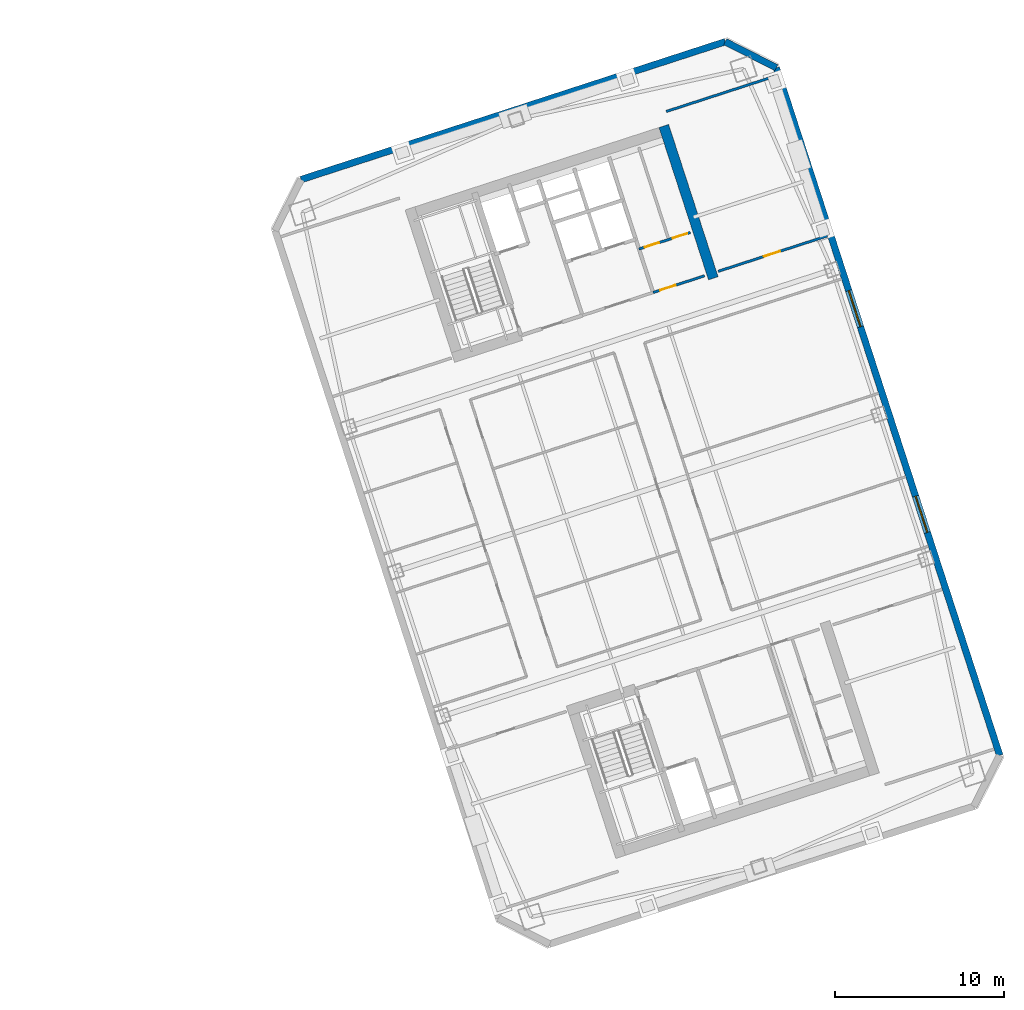
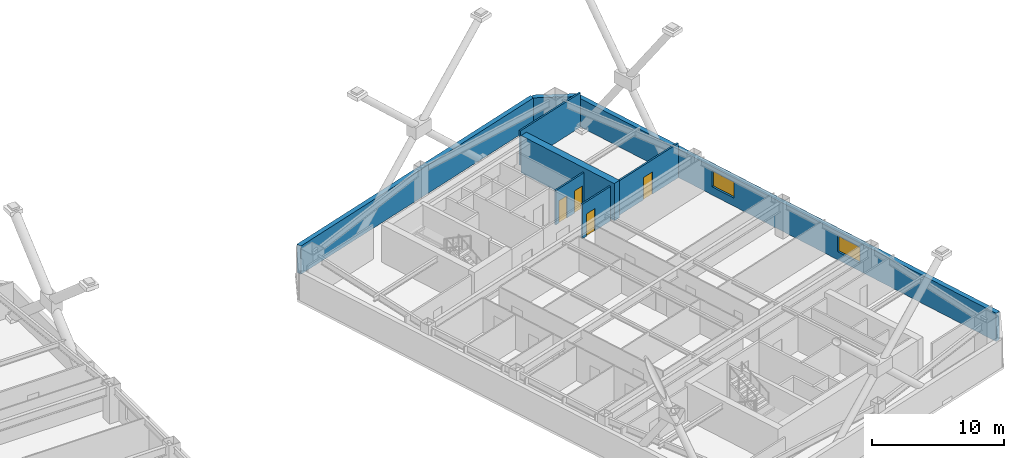
# One storey, part 11 of 14: 8 walls, 4 doors, 2 windows, 6 openings.
"""IFC4 building model written with IfcOpenShell, lengths in metres."""

import ifcopenshell
import ifcopenshell.guid

model = None  # the IFC model being written
_history = None  # IfcOwnerHistory: only IFC2X3 demands one
_inside = {}  # id of a spatial element -> (the spatial element, [elements in it])
_under = {}  # id of a project, library or spatial element -> (it, [spatial elements below it])
_declared = {}  # id of a project -> (the project, [libraries it declares])
_typed = {}  # id of a type object -> (the type object, [elements of that type])
_made_of = {}  # id of a material, layer set ... -> (it, [elements and type objects made of it])


def new_model(schema):
    """Start an empty IFC model of exactly this schema.

    Asked for "IFC4X3", IfcOpenShell would pick the latest addendum, in which some entities
    have other attributes; the version numbers below select the first issue.
    IFC2X3 requires an IfcOwnerHistory on every rooted entity: one is made here for all.
    """
    global model, _history
    if schema == "IFC4X3":
        model = ifcopenshell.file(schema_version=(4, 3, 0, 0))
    else:
        model = ifcopenshell.file(schema=schema)
    _inside.clear()
    _under.clear()
    _declared.clear()
    _typed.clear()
    _made_of.clear()
    _history = None
    if model.schema == "IFC2X3":
        org = make("IfcOrganization", Name="unknown")
        user = make(
            "IfcPersonAndOrganization",
            ThePerson=make("IfcPerson", FamilyName="unknown"),
            TheOrganization=org,
        )
        app = make(
            "IfcApplication",
            ApplicationDeveloper=org,
            Version="unknown",
            ApplicationFullName="unknown",
            ApplicationIdentifier="unknown",
        )
        _history = make(
            "IfcOwnerHistory",
            OwningUser=user,
            OwningApplication=app,
            ChangeAction="ADDED",
            CreationDate=0,
        )
    return model


def make(cls, **values):
    """One entity of the class cls with the attributes given. An attribute that is None is left unset."""
    return model.create_entity(
        cls, **{name: value for name, value in values.items() if value is not None}
    )


def rooted(cls, **values):
    """An entity with a GlobalId (a new one), such as an element, a storey or a relation."""
    return make(cls, GlobalId=ifcopenshell.guid.new(), OwnerHistory=_history, **values)


def si_unit(unit_type, name, prefix=None):
    """IfcSIUnit, for example si_unit("LENGTHUNIT", "METRE", prefix="MILLI")."""
    return make("IfcSIUnit", UnitType=unit_type, Prefix=prefix, Name=name)


def assignment(units):
    """IfcUnitAssignment: the units of a project."""
    return None if units is None else make("IfcUnitAssignment", Units=units)


def point(xyz):
    """IfcCartesianPoint."""
    return None if xyz is None else make("IfcCartesianPoint", Coordinates=xyz)


def direction(xyz):
    """IfcDirection."""
    return None if xyz is None else make("IfcDirection", DirectionRatios=xyz)


def frame(location, z_axis=None, x_axis=None):
    """IfcAxis2Placement3D, a coordinate frame: its origin and axes. An axis left out is left unset."""
    return make(
        "IfcAxis2Placement3D",
        Location=point(location),
        Axis=direction(z_axis),
        RefDirection=direction(x_axis),
    )


def frame_2d(location, x_axis=None):
    """IfcAxis2Placement2D, a coordinate frame in the plane: its origin and x axis."""
    return make(
        "IfcAxis2Placement2D", Location=point(location), RefDirection=direction(x_axis)
    )


def origin():
    """The frame at (0, 0, 0) with its axes left unset."""
    return frame((0.0, 0.0, 0.0))


def place(relative_to, where):
    """IfcLocalPlacement: puts the frame where relative to a parent placement (None: the world)."""
    return make(
        "IfcLocalPlacement", PlacementRelTo=relative_to, RelativePlacement=where
    )


def context(
    kind, dimensions, precision=None, world=None, true_north=None, identifier=None
):
    """IfcGeometricRepresentationContext, for example the 3D "Model" context."""
    return make(
        "IfcGeometricRepresentationContext",
        ContextIdentifier=identifier,
        ContextType=kind,
        CoordinateSpaceDimension=dimensions,
        Precision=precision,
        WorldCoordinateSystem=world,
        TrueNorth=true_north,
    )


def subcontext(parent, identifier, kind, view, scale=None):
    """IfcGeometricRepresentationSubContext, for example "Body" below "Model"."""
    return make(
        "IfcGeometricRepresentationSubContext",
        ContextIdentifier=identifier,
        ContextType=kind,
        ParentContext=parent,
        TargetScale=scale,
        TargetView=view,
    )


def project(units=None, contexts=None):
    """IfcProject with its units and contexts."""
    return rooted(
        "IfcProject",
        Name="project",
        RepresentationContexts=contexts,
        UnitsInContext=assignment(units),
    )


def spatial(cls, under=None, at=None, **own):
    """A site, building, storey or space (cls), placed at a placement, below another one or the project."""
    s = rooted(cls, ObjectPlacement=at, **own)
    if under is not None:
        _under.setdefault(under.id(), (under, []))[1].append(s)
    return s


def profile(cls, at=None, kind="AREA", **sizes):
    """A parametric profile (cls). Its sizes go by their IFC names, for example OverallWidth=200.0."""
    return make(cls, ProfileType=kind, Position=at, **sizes)


def rectangle(**sizes):
    """IfcRectangleProfileDef."""
    return profile("IfcRectangleProfileDef", **sizes)


def extrude(swept, where, along, depth):
    """IfcExtrudedAreaSolid: the profile swept, set in the frame where, extruded along a direction by depth."""
    return make(
        "IfcExtrudedAreaSolid",
        SweptArea=swept,
        Position=where,
        ExtrudedDirection=direction(along),
        Depth=depth,
    )


def shape(context_of_items, identifier, shape_type, items):
    """IfcShapeRepresentation: the items that make up one representation, for example the "Body"."""
    return make(
        "IfcShapeRepresentation",
        ContextOfItems=context_of_items,
        RepresentationIdentifier=identifier,
        RepresentationType=shape_type,
        Items=items,
    )


def material(Name=None, Category=None):
    """IfcMaterial."""
    return make("IfcMaterial", Name=Name, Category=Category)


def layer(
    of_material, thickness, ventilated=None, Name=None, Category=None, Priority=None
):
    """IfcMaterialLayer: one layer of a wall or slab, of a material (None: an air gap)."""
    return make(
        "IfcMaterialLayer",
        Material=of_material,
        LayerThickness=thickness,
        IsVentilated=ventilated,
        Name=Name,
        Category=Category,
        Priority=Priority,
    )


def layer_set(layers, Name=None):
    """IfcMaterialLayerSet."""
    return make("IfcMaterialLayerSet", MaterialLayers=layers, LayerSetName=Name)


def made_of(thing, what):
    """Note that an element or type object is made of a material, layer set ...; save() writes the relation."""
    if what is not None:
        _made_of.setdefault(what.id(), (what, []))[1].append(thing)
    return thing


def type_object(cls, material=None, **own):
    """A type object (cls), such as IfcWallType, which elements share."""
    return made_of(rooted(cls, **own), material)


def element(
    cls,
    number,
    at=None,
    inside=None,
    cuts=None,
    type_object=None,
    material=None,
    context=None,
    identifier="Body",
    shape_type=None,
    held_by="IfcProductDefinitionShape",
    body=None,
    shapes=None,
    **own,
):
    """One element of the class cls, such as IfcWall. Its Tag is "e" and its number.

    at: its placement. inside: the storey or other place that contains it. cuts: it is an
    opening in that element (IfcRelVoidsElement). A single representation is given by context,
    identifier, shape_type and body (its items); several are given by shapes. held_by: the class
    of the entity that holds the representations. save() writes the other relations.
    """
    e = rooted(cls, Tag="e%d" % number, ObjectPlacement=at, **own)
    if body is not None:
        shapes = [shape(context, identifier, shape_type, body)]
    if shapes is not None:
        e.Representation = make(held_by, Representations=shapes)
    if inside is not None:
        _inside.setdefault(inside.id(), (inside, []))[1].append(e)
    if cuts is not None:
        rooted(
            "IfcRelVoidsElement", RelatingBuildingElement=cuts, RelatedOpeningElement=e
        )
    if type_object is not None:
        _typed.setdefault(type_object.id(), (type_object, []))[1].append(e)
    return made_of(e, material)


def fill(opening, filler):
    """IfcRelFillsElement: the door or window that sits in an opening."""
    return rooted(
        "IfcRelFillsElement",
        RelatingOpeningElement=opening,
        RelatedBuildingElement=filler,
    )


def aggregate(whole, parts):
    """IfcRelAggregates: a whole, such as a stair, and the parts it consists of."""
    return rooted("IfcRelAggregates", RelatingObject=whole, RelatedObjects=parts)


def save(model, path):
    """Write the relations noted so far, then the file.

    IfcRelAggregates (storeys below a building ...), IfcRelContainedInSpatialStructure (elements
    in a storey), IfcRelDefinesByType, IfcRelAssociatesMaterial and IfcRelDeclares: one each for
    every whole, place, type object, material and project.
    """
    for whole, parts in _under.values():
        aggregate(whole, parts)
    for where, things in _inside.values():
        rooted(
            "IfcRelContainedInSpatialStructure",
            RelatedElements=things,
            RelatingStructure=where,
        )
    for kind, things in _typed.values():
        rooted("IfcRelDefinesByType", RelatedObjects=things, RelatingType=kind)
    for what, things in _made_of.values():
        rooted("IfcRelAssociatesMaterial", RelatedObjects=things, RelatingMaterial=what)
    for by, libraries in _declared.values():
        rooted("IfcRelDeclares", RelatingContext=by, RelatedDefinitions=libraries)
    model.write(path)


model = new_model("IFC4")

# Units and contexts
model_context = context("Model", 3, precision=1e-05, world=origin(), true_north=direction((0.0, 1.0)))
body_context = subcontext(model_context, "Body", "Model", "MODEL_VIEW")
ifc_project = project(units=[si_unit("LENGTHUNIT", "METRE"), si_unit("AREAUNIT", "SQUARE_METRE"), si_unit("VOLUMEUNIT", "CUBIC_METRE"), si_unit("PLANEANGLEUNIT", "RADIAN"), si_unit("MASSUNIT", "GRAM", prefix="KILO")], contexts=[model_context])

# Site, building, storey
site_placement = place(None, origin())
site = spatial("IfcSite", under=ifc_project, at=site_placement, CompositionType="ELEMENT")
building_placement = place(site_placement, origin())
building = spatial("IfcBuilding", under=site, at=building_placement, Name="Qiaolan Cultural Towers", CompositionType="ELEMENT")
storey_placement = place(building_placement, frame((0.0, 0.0, 149.5)))
storey = spatial("IfcBuildingStorey", under=building, at=storey_placement, Name="L39", CompositionType="ELEMENT", Elevation=149.5)

# Walls
ifc_material_1 = material(Name="Concrete C55", Category="concrete")
ifc_layer_1 = layer(ifc_material_1, 0.60009765625)
ifc_layer_set_1 = layer_set([ifc_layer_1], Name="Concrete C55")
wall_type_1 = type_object("IfcWallType", Name="WL-CORE-600", PredefinedType="SHEAR", material=ifc_layer_set_1)
wall_1_placement = place(storey_placement, frame((94.4921875, 46.710205078125, 0.0), z_axis=(0.0, 0.0, 1.0), x_axis=(-0.309010370028, 0.95105866865, 0.0)))
element("IfcWall", 1, at=wall_1_placement, inside=storey, type_object=wall_type_1, Name="L39 T2-CN East Core Shear Wall", PredefinedType="SHEAR", context=body_context, shape_type="SweptSolid", body=[
    extrude(rectangle(XDim=9.47998046875, YDim=0.60009765625, at=frame_2d((4.739990234375, 0.0))), origin(), (0.0, 0.0, 1.0), 3.449951171875),
])
ifc_material_2 = material(Name="Precast Concrete C50 Honed Stone Pier", Category="masonry")
ifc_layer_2 = layer(ifc_material_2, 0.39990234375)
ifc_layer_set_2 = layer_set([ifc_layer_2], Name="Precast Concrete C50 Honed Stone Pier")
wall_type_2 = type_object("IfcWallType", Name="WL-EXT-PIER-400", PredefinedType="SOLIDWALL", material=ifc_layer_set_2)
wall_2_placement = place(storey_placement, frame((70.091552734375, 52.55615234375, 0.0), z_axis=(0.0, 0.0, 1.0), x_axis=(0.951057580055, 0.30901372044, 0.0)))
element("IfcWall", 2, at=wall_2_placement, inside=storey, type_object=wall_type_2, Name="L39 East Tower Precast Pier Facade Wall F3", PredefinedType="SOLIDWALL", context=body_context, shape_type="SweptSolid", body=[
    extrude(rectangle(XDim=26.39990234375, YDim=0.39990234375, at=frame_2d((13.199951171875, 0.0))), origin(), (0.0, 0.0, 1.0), 2.610107421875),
])
wall_3_placement = place(storey_placement, frame((95.199462890625, 60.714111328125, 0.0), z_axis=(0.0, 0.0, 1.0), x_axis=(0.891020832027, -0.453962417932, 0.0)))
element("IfcWall", 3, at=wall_3_placement, inside=storey, type_object=wall_type_2, Name="L39 East Tower Precast Pier Facade Wall F4", PredefinedType="SOLIDWALL", context=body_context, shape_type="SweptSolid", body=[
    extrude(rectangle(XDim=3.39404296875, YDim=0.39990234375, at=frame_2d((1.697021484375, 0.0))), origin(), (0.0, 0.0, 1.0), 2.610107421875),
])

# Wall, openings, windows
wall_4_placement = place(storey_placement, frame((98.2236328125, 59.17333984375, 0.0), z_axis=(0.0, 0.0, 1.0), x_axis=(0.309014228706, -0.951057414911, 0.0)))
wall_4 = element("IfcWall", 4, at=wall_4_placement, inside=storey, type_object=wall_type_2, Name="L39 East Tower Precast Pier Facade Wall F5", PredefinedType="SOLIDWALL", context=body_context, shape_type="SweptSolid", body=[
    extrude(rectangle(XDim=42.800048828125, YDim=0.39990234375, at=frame_2d((21.39990234375, 0.0))), origin(), (0.0, 0.0, 1.0), 2.610107421875),
])
opening_1_placement = place(wall_4_placement, frame((26.675048828125, 0.0, 0.75)))
opening_1 = element("IfcOpeningElement", 5, at=opening_1_placement, cuts=wall_4, Name="Opening W-03", PredefinedType="OPENING", context=body_context, shape_type="SweptSolid", body=[
    extrude(rectangle(XDim=2.25, YDim=1.4599609375, at=frame_2d((1.125, 0.72998046875))), frame((0.0, 0.2099609375, 0.0), z_axis=(0.0, -1.0, 0.0), x_axis=(1.0, 0.0, 0.0)), (0.0, 0.0, 1.0), 0.419921875),
])
opening_2_placement = place(wall_4_placement, frame((13.875, 0.0, 0.75)))
opening_2 = element("IfcOpeningElement", 6, at=opening_2_placement, cuts=wall_4, Name="Opening W-03", PredefinedType="OPENING", context=body_context, shape_type="SweptSolid", body=[
    extrude(rectangle(XDim=2.25, YDim=1.4599609375, at=frame_2d((1.125, 0.72998046875))), frame((0.0, 0.2099609375, 0.0), z_axis=(0.0, -1.0, 0.0), x_axis=(1.0, 0.0, 0.0)), (0.0, 0.0, 1.0), 0.419921875),
])
ifc_material_3 = material(Name="Thermally Broken Aluminium Triple Low-E Glazing", Category="aluminium")
window_type = type_object("IfcWindowType", Name="WN-CHIC-2250", PartitioningType="SINGLE_PANEL", PredefinedType="WINDOW", material=ifc_material_3)
window_1_placement = place(opening_1_placement, origin())
window_1 = element("IfcWindow", 7, at=window_1_placement, inside=storey, type_object=window_type, Name="L39 T2 E Chicago Bay Window 1", OverallHeight=1.4599609375, OverallWidth=2.25, PartitioningType="TRIPLE_PANEL_VERTICAL", PredefinedType="WINDOW", context=body_context, shape_type="SweptSolid", body=[
    extrude(rectangle(XDim=2.25, YDim=1.4599609375, at=frame_2d((1.125, 0.72998046875))), frame((0.0, 0.030029296875, 0.0), z_axis=(0.0, -1.0, 0.0), x_axis=(1.0, 0.0, 0.0)), (0.0, 0.0, 1.0), 0.06005859375),
])
fill(opening_1, window_1)
window_2_placement = place(opening_2_placement, origin())
window_2 = element("IfcWindow", 8, at=window_2_placement, inside=storey, type_object=window_type, Name="L39 T2 E Chicago Bay Window 2", OverallHeight=1.4599609375, OverallWidth=2.25, PartitioningType="TRIPLE_PANEL_VERTICAL", PredefinedType="WINDOW", context=body_context, shape_type="SweptSolid", body=[
    extrude(rectangle(XDim=2.25, YDim=1.4599609375, at=frame_2d((1.125, 0.72998046875))), frame((0.0, 0.030029296875, 0.0), z_axis=(0.0, -1.0, 0.0), x_axis=(1.0, 0.0, 0.0)), (0.0, 0.0, 1.0), 0.06005859375),
])
fill(opening_2, window_2)

# Wall, opening, door
ifc_material_4 = material(Name="Autoclaved Aerated Concrete Block B06", Category="concrete")
ifc_layer_3 = layer(ifc_material_4, 0.14990234375)
ifc_layer_set_3 = layer_set([ifc_layer_3], Name="Autoclaved Aerated Concrete Block B06")
wall_type_3 = type_object("IfcWallType", Name="WL-PART-150", PredefinedType="PARTITIONING", material=ifc_layer_set_3)
wall_5_placement = place(storey_placement, frame((90.92822265625, 45.86767578125, 0.0), z_axis=(0.0, 0.0, 1.0), x_axis=(0.951059297078, 0.309008435874, 0.0)))
wall_5 = element("IfcWall", 9, at=wall_5_placement, inside=storey, type_object=wall_type_3, Name="L39 T2-CN Sanitary Core Front Wall", PredefinedType="PARTITIONING", context=body_context, shape_type="SweptSolid", body=[
    extrude(rectangle(XDim=3.19970703125, YDim=0.14990234375, at=frame_2d((1.599853515625, 0.0))), origin(), (0.0, 0.0, 1.0), 3.175048828125),
])
opening_3_placement = place(wall_5_placement, frame((0.449951171875, 0.0, 0.0)))
opening_3 = element("IfcOpeningElement", 10, at=opening_3_placement, cuts=wall_5, Name="Opening ID-05", PredefinedType="OPENING", context=body_context, shape_type="SweptSolid", body=[
    extrude(rectangle(XDim=0.949951171875, YDim=2.050048828125, at=frame_2d((0.47509765625, 1.02490234375))), frame((0.0, 0.0849609375, 0.0), z_axis=(0.0, -1.0, 0.0), x_axis=(1.0, 0.0, 0.0)), (0.0, 0.0, 1.0), 0.169921875),
])
ifc_material_5 = material(Name="Fire-Rated Laminate Accessible Core Door", Category="timber")
door_type_1 = type_object("IfcDoorType", Name="DR-INT-950", OperationType="NOTDEFINED", PredefinedType="DOOR", material=ifc_material_5)
door_1_placement = place(opening_3_placement, origin())
door_1 = element("IfcDoor", 11, at=door_1_placement, inside=storey, type_object=door_type_1, Name="L39 Sanitary Vestibule Door", OperationType="SINGLE_SWING_LEFT", OverallHeight=2.050048828125, OverallWidth=0.949951171875, PredefinedType="DOOR", context=body_context, shape_type="SweptSolid", body=[
    extrude(rectangle(XDim=0.949951171875, YDim=2.050048828125, at=frame_2d((0.47509765625, 1.02490234375))), frame((0.0, 0.02490234375, 0.0), z_axis=(0.0, -1.0, 0.0), x_axis=(1.0, 0.0, 0.0)), (0.0, 0.0, 1.0), 0.050048828125),
])
fill(opening_3, door_1)

# Wall, openings, doors
wall_6_placement = place(storey_placement, frame((90.09375, 48.435546875, 0.0), z_axis=(0.0, 0.0, 1.0), x_axis=(0.951066581729, 0.308986014439, 0.0)))
wall_6 = element("IfcWall", 12, at=wall_6_placement, inside=storey, type_object=wall_type_3, Name="L39 T2-CN Restroom Vestibule Wall", PredefinedType="PARTITIONING", context=body_context, shape_type="SweptSolid", body=[
    extrude(rectangle(XDim=3.199951171875, YDim=0.14990234375, at=frame_2d((1.60009765625, 0.0))), origin(), (0.0, 0.0, 1.0), 3.175048828125),
])
opening_4_placement = place(wall_6_placement, frame((0.35009765625, 0.0, 0.0)))
opening_4 = element("IfcOpeningElement", 13, at=opening_4_placement, cuts=wall_6, Name="Opening ID-06", PredefinedType="OPENING", context=body_context, shape_type="SweptSolid", body=[
    extrude(rectangle(XDim=0.89990234375, YDim=2.050048828125, at=frame_2d((0.449951171875, 1.02490234375))), frame((0.0, 0.0849609375, 0.0), z_axis=(0.0, -1.0, 0.0), x_axis=(1.0, 0.0, 0.0)), (0.0, 0.0, 1.0), 0.169921875),
])
opening_5_placement = place(wall_6_placement, frame((2.10009765625, 0.0, 0.0)))
opening_5 = element("IfcOpeningElement", 14, at=opening_5_placement, cuts=wall_6, Name="Opening ID-06", PredefinedType="OPENING", context=body_context, shape_type="SweptSolid", body=[
    extrude(rectangle(XDim=0.89990234375, YDim=2.050048828125, at=frame_2d((0.449951171875, 1.02490234375))), frame((0.0, 0.0849609375, 0.0), z_axis=(0.0, -1.0, 0.0), x_axis=(1.0, 0.0, 0.0)), (0.0, 0.0, 1.0), 0.169921875),
])
ifc_material_6 = material(Name="Fire-Rated Laminate Core Service Door", Category="timber")
door_type_2 = type_object("IfcDoorType", Name="DR-INT-900", OperationType="NOTDEFINED", PredefinedType="DOOR", material=ifc_material_6)
door_2_placement = place(opening_4_placement, origin())
door_2 = element("IfcDoor", 15, at=door_2_placement, inside=storey, type_object=door_type_2, Name="L39 Men Restroom Door", OperationType="SINGLE_SWING_LEFT", OverallHeight=2.050048828125, OverallWidth=0.89990234375, PredefinedType="DOOR", context=body_context, shape_type="SweptSolid", body=[
    extrude(rectangle(XDim=0.89990234375, YDim=2.050048828125, at=frame_2d((0.449951171875, 1.02490234375))), frame((0.0, 0.02490234375, 0.0), z_axis=(0.0, -1.0, 0.0), x_axis=(1.0, 0.0, 0.0)), (0.0, 0.0, 1.0), 0.050048828125),
])
fill(opening_4, door_2)
door_3_placement = place(opening_5_placement, origin())
door_3 = element("IfcDoor", 16, at=door_3_placement, inside=storey, type_object=door_type_2, Name="L39 Accessible & Women Restroom Door", OperationType="SINGLE_SWING_RIGHT", OverallHeight=2.050048828125, OverallWidth=0.89990234375, PredefinedType="DOOR", context=body_context, shape_type="SweptSolid", body=[
    extrude(rectangle(XDim=0.89990234375, YDim=2.050048828125, at=frame_2d((0.449951171875, 1.02490234375))), frame((0.0, 0.02490234375, 0.0), z_axis=(0.0, -1.0, 0.0), x_axis=(1.0, 0.0, 0.0)), (0.0, 0.0, 1.0), 0.050048828125),
])
fill(opening_5, door_3)

# Wall
wall_7_placement = place(storey_placement, frame((91.705078125, 56.582275390625, 0.0), z_axis=(0.0, 0.0, 1.0), x_axis=(0.951057811516, 0.309013008068, 0.0)))
element("IfcWall", 17, at=wall_7_placement, inside=storey, type_object=wall_type_3, Name="L39 T2 Flank Wall FLK-NE", PredefinedType="PARTITIONING", context=body_context, shape_type="SweptSolid", body=[
    extrude(rectangle(XDim=6.800048828125, YDim=0.14990234375, at=frame_2d((3.39990234375, 0.0))), origin(), (0.0, 0.0, 1.0), 3.175048828125),
])

# Wall, opening, door
wall_8_placement = place(storey_placement, frame((94.77978515625, 47.119140625, 0.0), z_axis=(0.0, 0.0, 1.0), x_axis=(0.951057811516, 0.309013008068, 0.0)))
wall_8 = element("IfcWall", 18, at=wall_8_placement, inside=storey, type_object=wall_type_3, Name="L39 T2 Flank Front FLK-NE", PredefinedType="PARTITIONING", context=body_context, shape_type="SweptSolid", body=[
    extrude(rectangle(XDim=6.800048828125, YDim=0.14990234375, at=frame_2d((3.39990234375, 0.0))), origin(), (0.0, 0.0, 1.0), 3.175048828125),
])
opening_6_placement = place(wall_8_placement, frame((2.85595703125, 0.0, 0.0)))
opening_6 = element("IfcOpeningElement", 19, at=opening_6_placement, cuts=wall_8, Name="Opening ID-04", PredefinedType="OPENING", context=body_context, shape_type="SweptSolid", body=[
    extrude(rectangle(XDim=1.0, YDim=2.050048828125, at=frame_2d((0.5, 1.02490234375))), frame((0.0, 0.0849609375, 0.0), z_axis=(0.0, -1.0, 0.0), x_axis=(1.0, 0.0, 0.0)), (0.0, 0.0, 1.0), 0.169921875),
])
ifc_material_7 = material(Name="Oak Veneer Acoustic Office Door", Category="timber")
door_type_3 = type_object("IfcDoorType", Name="DR-INT-1000", OperationType="NOTDEFINED", PredefinedType="DOOR", material=ifc_material_7)
door_4_placement = place(opening_6_placement, origin())
door_4 = element("IfcDoor", 20, at=door_4_placement, inside=storey, type_object=door_type_3, Name="L39 T2 Corner Studio Door", OperationType="SINGLE_SWING_LEFT", OverallHeight=2.050048828125, OverallWidth=1.0, PredefinedType="DOOR", context=body_context, shape_type="SweptSolid", body=[
    extrude(rectangle(XDim=1.0, YDim=2.050048828125, at=frame_2d((0.5, 1.02490234375))), frame((0.0, 0.02490234375, 0.0), z_axis=(0.0, -1.0, 0.0), x_axis=(1.0, 0.0, 0.0)), (0.0, 0.0, 1.0), 0.050048828125),
])
fill(opening_6, door_4)

save(model, "model.ifc")
